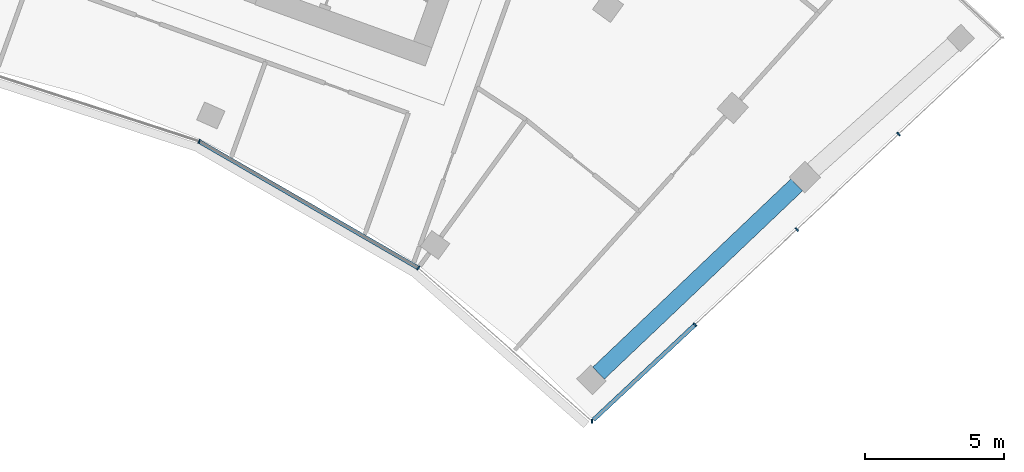
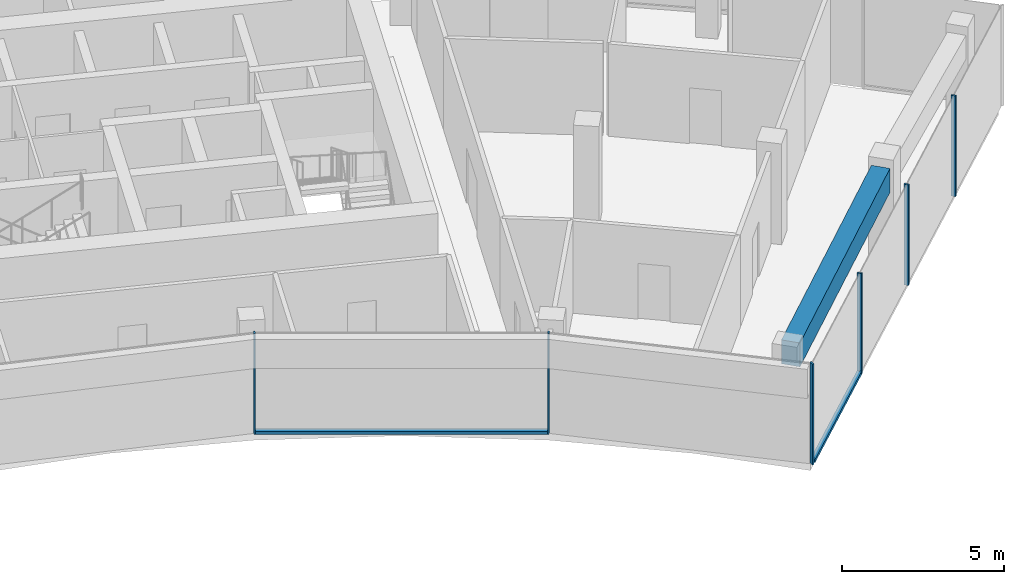
# One storey, part 8 of 18: 8 members, 1 beam, 2 elements without a shape of their own.
"""IFC4 building model written with IfcOpenShell, lengths in metres."""

from ifc_helpers import new_model, si_unit, direction, frame, origin, origin_2d, place, context, subcontext, project, spatial, rectangle, extrude, material, layer, layer_set, material_profile, profile_set, type_object, element, aggregate, save


model = new_model("IFC4")

# Units and contexts
model_context = context("Model", 3, precision=1e-05, world=origin(), true_north=direction((0.0, 1.0)))
body_context = subcontext(model_context, "Body", "Model", "MODEL_VIEW")
ifc_project = project(units=[si_unit("LENGTHUNIT", "METRE"), si_unit("AREAUNIT", "SQUARE_METRE"), si_unit("VOLUMEUNIT", "CUBIC_METRE"), si_unit("PLANEANGLEUNIT", "RADIAN"), si_unit("MASSUNIT", "GRAM", prefix="KILO")], contexts=[model_context])

# Site, building, storey
site_placement = place(None, origin())
site = spatial("IfcSite", under=ifc_project, at=site_placement, CompositionType="ELEMENT")
building_placement = place(site_placement, origin())
building = spatial("IfcBuilding", under=site, at=building_placement, Name="Stone Belt Terrace Tower", CompositionType="ELEMENT")
storey_placement = place(building_placement, frame((0.0, 0.0, 265.60009765625)))
storey = spatial("IfcBuildingStorey", under=building, at=storey_placement, Name="L64", CompositionType="ELEMENT", Elevation=265.60009765625)

# Curtain wall, members
ifc_material_1 = material(Name="Aluminium 6063-T6 anodised frame", Category="aluminium")
ifc_layer_1 = layer(ifc_material_1, 0.14990234375)
ifc_layer_set_1 = layer_set([ifc_layer_1], Name="CW-B unitised concave-face curtain wall")
curtain_wall_type_1 = type_object("IfcCurtainWallType", Name="CW-B unitised concave-face curtain wall", PredefinedType="NOTDEFINED", material=ifc_layer_set_1)
curtain_wall_1_placement = place(storey_placement, origin())
curtain_wall_1 = element("IfcCurtainWall", 1, at=curtain_wall_1_placement, inside=storey, type_object=curtain_wall_type_1, Name="CW-B concave face L64", PredefinedType="NOTDEFINED")
ifc_material_profile_1 = material_profile(ifc_material_1, rectangle(XDim=0.14990234375, YDim=0.050048828125, at=origin_2d()), Name="Aluminium 6063-T6 50x150")
ifc_profile_set_1 = profile_set([ifc_material_profile_1], Name="Aluminium 6063-T6 anodised frame")
member_type_1 = type_object("IfcMemberType", Name="CW-B mullion 50 x 150", PredefinedType="MULLION", material=ifc_profile_set_1)
member_1_placement = place(storey_placement, frame((17.662353515625, 39.67041015625, 0.0), z_axis=(0.0, 0.0, 1.0), x_axis=(0.406736643076, 0.913545457643, 0.0)))
member_1 = element("IfcMember", 2, at=member_1_placement, type_object=member_type_1, Name="CW-B mullion 7", PredefinedType="MULLION", context=body_context, shape_type="SweptSolid", body=[
    extrude(rectangle(XDim=0.14990234375, YDim=0.050048828125, at=origin_2d()), origin(), (0.0, 0.0, 1.0), 3.7998046875),
])
member_2_placement = place(storey_placement, frame((25.524658203125, 35.131103515625, 0.0), z_axis=(0.0, 0.0, 1.0), x_axis=(0.583818854632, 0.811883947973, 0.0)))
member_2 = element("IfcMember", 3, at=member_2_placement, type_object=member_type_1, Name="CW-B mullion 8", PredefinedType="MULLION", context=body_context, shape_type="SweptSolid", body=[
    extrude(rectangle(XDim=0.14990234375, YDim=0.050048828125, at=origin_2d()), origin(), (0.0, 0.0, 1.0), 3.7998046875),
])
ifc_material_profile_2 = material_profile(ifc_material_1, rectangle(XDim=0.14990234375, YDim=0.1201171875, at=origin_2d()), Name="Aluminium 6063-T6 150x120")
ifc_profile_set_2 = profile_set([ifc_material_profile_2], Name="Aluminium 6063-T6 anodised frame")
member_type_2 = type_object("IfcMemberType", Name="CW-B transom 120 x 150", PredefinedType="USERDEFINED", material=ifc_profile_set_2)
member_3_placement = place(storey_placement, frame((17.690673828125, 39.654052734375, 0.059814453125), z_axis=(0.866020948727, -0.500007716307, 0.0), x_axis=(0.500007716307, 0.866020948727, 0.0)))
member_3 = element("IfcMember", 4, at=member_3_placement, type_object=member_type_2, Name="CW-B transom 7.1", ObjectType="TRANSOM", PredefinedType="USERDEFINED", context=body_context, shape_type="SweptSolid", body=[
    extrude(rectangle(XDim=0.14990234375, YDim=0.1201171875, at=origin_2d()), origin(), (0.0, 0.0, 1.0), 9.013427734375),
])
aggregate(curtain_wall_1, [member_1, member_2, member_3])

ifc_layer_2 = layer(ifc_material_1, 0.14990234375)
ifc_layer_set_2 = layer_set([ifc_layer_2], Name="CW-C stick curtain wall, horn ends and notches")
curtain_wall_type_2 = type_object("IfcCurtainWallType", Name="CW-C stick curtain wall, horn ends and notches", PredefinedType="NOTDEFINED", material=ifc_layer_set_2)
curtain_wall_2_placement = place(storey_placement, origin())
curtain_wall_2 = element("IfcCurtainWall", 5, at=curtain_wall_2_placement, inside=storey, type_object=curtain_wall_type_2, Name="CW-C end face L64", PredefinedType="NOTDEFINED")
ifc_material_profile_3 = material_profile(ifc_material_1, rectangle(XDim=0.14990234375, YDim=0.06005859375, at=origin_2d()), Name="Aluminium 6063-T6 60x150")
ifc_profile_set_3 = profile_set([ifc_material_profile_3], Name="Aluminium 6063-T6 anodised frame")
member_type_3 = type_object("IfcMemberType", Name="CW-C mullion 60 x 150", PredefinedType="MULLION", material=ifc_profile_set_3)
member_4_placement = place(storey_placement, frame((31.75244140625, 29.633056640625, 0.0), z_axis=(0.0, 0.0, 1.0), x_axis=(-0.014681639593, 0.999892218921, 0.0)))
member_4 = element("IfcMember", 6, at=member_4_placement, type_object=member_type_3, Name="CW-C mullion 1", PredefinedType="MULLION", context=body_context, shape_type="SweptSolid", body=[
    extrude(rectangle(XDim=0.14990234375, YDim=0.06005859375, at=origin_2d()), origin(), (0.0, 0.0, 1.0), 3.7998046875),
])
member_5_placement = place(storey_placement, frame((35.45166015625, 33.097412109375, 0.0), z_axis=(0.0, 0.0, 1.0), x_axis=(-0.683549434973, 0.729904219708, 0.0)))
member_5 = element("IfcMember", 7, at=member_5_placement, type_object=member_type_3, Name="CW-C mullion 2", PredefinedType="MULLION", context=body_context, shape_type="SweptSolid", body=[
    extrude(rectangle(XDim=0.14990234375, YDim=0.06005859375, at=origin_2d()), origin(), (0.0, 0.0, 1.0), 3.7998046875),
])
member_6_placement = place(storey_placement, frame((39.10107421875, 36.51513671875, 0.0), z_axis=(0.0, 0.0, 1.0), x_axis=(-0.683549434973, 0.729904219708, 0.0)))
member_6 = element("IfcMember", 8, at=member_6_placement, type_object=member_type_3, Name="CW-C mullion 3", PredefinedType="MULLION", context=body_context, shape_type="SweptSolid", body=[
    extrude(rectangle(XDim=0.14990234375, YDim=0.06005859375, at=origin_2d()), origin(), (0.0, 0.0, 1.0), 3.7998046875),
])
member_7_placement = place(storey_placement, frame((42.750732421875, 39.932861328125, 0.0), z_axis=(0.0, 0.0, 1.0), x_axis=(-0.683549434973, 0.729904219708, 0.0)))
member_7 = element("IfcMember", 9, at=member_7_placement, type_object=member_type_3, Name="CW-C mullion 4", PredefinedType="MULLION", context=body_context, shape_type="SweptSolid", body=[
    extrude(rectangle(XDim=0.14990234375, YDim=0.06005859375, at=origin_2d()), origin(), (0.0, 0.0, 1.0), 3.7998046875),
])
ifc_material_profile_4 = material_profile(ifc_material_1, rectangle(XDim=0.14990234375, YDim=0.1201171875, at=origin_2d()), Name="Aluminium 6063-T6 150x120")
ifc_profile_set_4 = profile_set([ifc_material_profile_4], Name="Aluminium 6063-T6 anodised frame")
member_type_4 = type_object("IfcMemberType", Name="CW-C transom 120 x 150", PredefinedType="USERDEFINED", material=ifc_profile_set_4)
member_8_placement = place(storey_placement, frame((31.805419921875, 29.6826171875, 0.059814453125), z_axis=(0.72988516347, 0.683569782938, 0.0), x_axis=(-0.683569782938, 0.72988516347, 0.0)))
member_8 = element("IfcMember", 10, at=member_8_placement, type_object=member_type_4, Name="CW-C transom 1.1", ObjectType="TRANSOM", PredefinedType="USERDEFINED", context=body_context, shape_type="SweptSolid", body=[
    extrude(rectangle(XDim=0.14990234375, YDim=0.1201171875, at=origin_2d()), origin(), (0.0, 0.0, 1.0), 4.965576171875),
])
aggregate(curtain_wall_2, [member_4, member_5, member_6, member_7, member_8])

# Beam
ifc_material_2 = material(Name="Concrete B60", Category="concrete")
ifc_material_profile_5 = material_profile(ifc_material_2, rectangle(XDim=0.60009765625, YDim=0.89990234375, at=origin_2d()), Name="RC 600x900")
ifc_profile_set_5 = profile_set([ifc_material_profile_5], Name="Concrete B60")
beam_type = type_object("IfcBeamType", Name="Edge beam RC 600x900 B60", PredefinedType="SPANDREL", material=ifc_profile_set_5)
beam_placement = place(storey_placement, frame((31.98876953125, 31.35791015625, 3.02978515625), z_axis=(0.72502367576, 0.688723942946, 0.0), x_axis=(-0.688723942946, 0.72502367576, 0.0)))
element("IfcBeam", 11, at=beam_placement, inside=storey, type_object=beam_type, Name="Edge beam L64 B P to Q", PredefinedType="SPANDREL", context=body_context, shape_type="SweptSolid", body=[
    extrude(rectangle(XDim=0.60009765625, YDim=0.89990234375, at=origin_2d()), origin(), (0.0, 0.0, 1.0), 9.80615234375),
])

save(model, "model.ifc")
